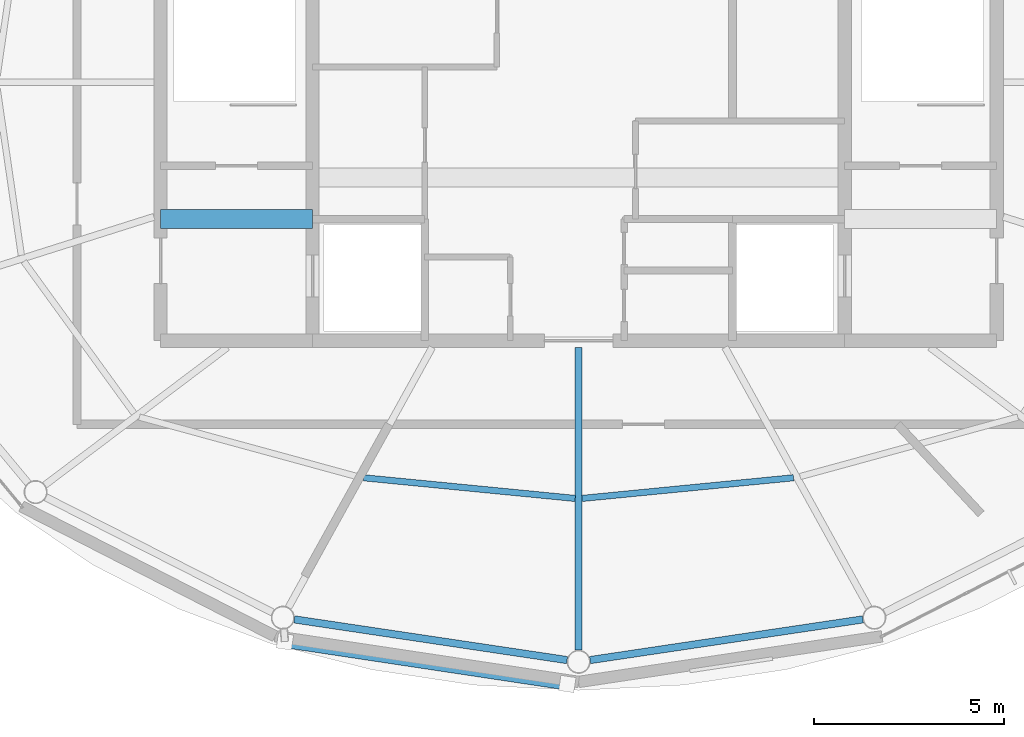
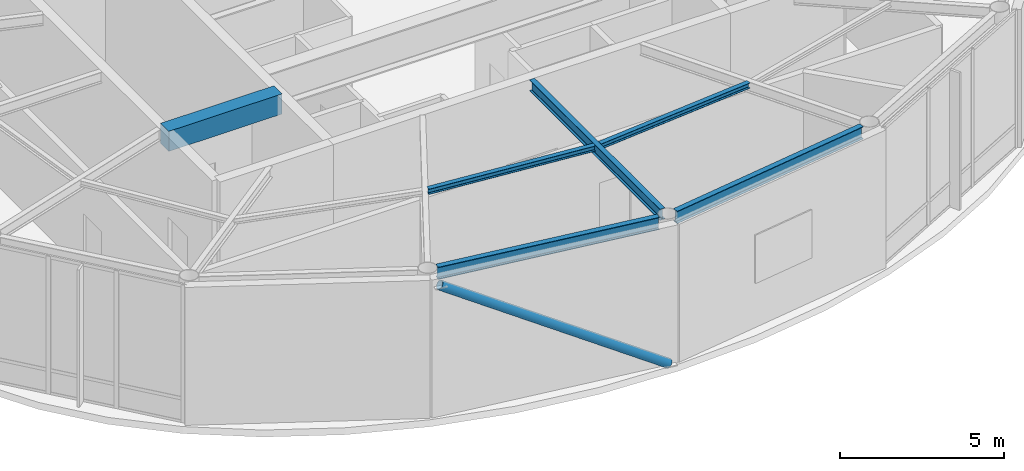
# One storey, part 4 of 14: 6 beams, 1 member.
"""IFC4 building model written with IfcOpenShell, lengths in metres."""

from ifc_helpers import new_model, si_unit, direction, frame, origin, origin_2d, place, context, subcontext, project, spatial, rectangle, hollow_circle, i_section, extrude, material, material_profile, profile_set, type_object, element, save


model = new_model("IFC4")

# Units and contexts
model_context = context("Model", 3, precision=1e-05, world=origin(), true_north=direction((0.0, 1.0)))
body_context = subcontext(model_context, "Body", "Model", "MODEL_VIEW")
ifc_project = project(units=[si_unit("LENGTHUNIT", "METRE"), si_unit("AREAUNIT", "SQUARE_METRE"), si_unit("VOLUMEUNIT", "CUBIC_METRE"), si_unit("PLANEANGLEUNIT", "RADIAN"), si_unit("MASSUNIT", "GRAM", prefix="KILO")], contexts=[model_context])

# Site, building, storey
site_placement = place(None, origin())
site = spatial("IfcSite", under=ifc_project, at=site_placement, CompositionType="ELEMENT")
building_placement = place(site_placement, origin())
building = spatial("IfcBuilding", under=site, at=building_placement, Name="Sarneth Arch Tower", CompositionType="ELEMENT")
storey_placement = place(building_placement, frame((0.0, 0.0, 321.60009765625)))
storey = spatial("IfcBuildingStorey", under=building, at=storey_placement, Name="L83", CompositionType="ELEMENT", Elevation=321.60009765625)

# Beams
ifc_material_1 = material(Name="Steel S355", Category="steel")
ifc_material_profile_1 = material_profile(ifc_material_1, i_section(OverallWidth=0.1650390625, OverallDepth=0.200927734375, WebThickness=0.006103515625, FlangeThickness=0.01025390625, FilletRadius=0.010009765625, at=origin_2d()), Name="W200x35.9")
ifc_profile_set_1 = profile_set([ifc_material_profile_1], Name="Steel S355")
beam_type_1 = type_object("IfcBeamType", Name="BM-JOIST-200", PredefinedType="JOIST", material=ifc_profile_set_1)
for number, where, z_axis, x_axis, name in (
    (1, (42.34521484375, 31.592529296875, 5.039306640625), (0.995261554791, -0.097233932113, 0.0), (0.097233932113, 0.995261554791, 0.0), "L83 Secondary floor joist 12"),
    (2, (48.089599609375, 31.048828125, 5.039306640625), (0.995261554791, 0.097233932113, 0.0), (-0.097233932113, 0.995261554791, 0.0), "L83 Secondary floor joist 13"),
):
    element("IfcBeam", number, at=place(storey_placement, frame(where, z_axis=z_axis, x_axis=x_axis)), inside=storey, type_object=beam_type_1, Name=name, PredefinedType="JOIST", context=body_context, shape_type="SweptSolid", body=[
        extrude(i_section(OverallWidth=0.1650390625, OverallDepth=0.200927734375, WebThickness=0.006103515625, FlangeThickness=0.01025390625, FilletRadius=0.010009765625, at=origin_2d()), origin(), (0.0, 0.0, 1.0), 5.591796875),
    ])
ifc_material_2 = material(Name="Concrete C50/60", Category="concrete")
ifc_material_profile_2 = material_profile(ifc_material_2, rectangle(XDim=0.5, YDim=0.75, at=origin_2d()), Name="RC-500x750")
ifc_profile_set_2 = profile_set([ifc_material_profile_2], Name="Concrete C50/60")
beam_type_2 = type_object("IfcBeamType", Name="BM-LINTEL-RC", PredefinedType="LINTEL", material=ifc_profile_set_2)
beam_1_placement = place(storey_placement, frame((37.0, 38.39990234375, 4.764892578125), z_axis=(1.0, 0.0, 0.0), x_axis=(0.0, 1.0, 0.0)))
element("IfcBeam", 3, at=beam_1_placement, inside=storey, type_object=beam_type_2, Name="L83 Core coupling lintel W", PredefinedType="LINTEL", context=body_context, shape_type="SweptSolid", body=[
    extrude(rectangle(XDim=0.5, YDim=0.75, at=origin_2d()), origin(), (0.0, 0.0, 1.0), 4.0),
])
ifc_material_3 = material(Name="Steel S355", Category="steel")
ifc_material_profile_3 = material_profile(ifc_material_3, i_section(OverallWidth=0.179931640625, OverallDepth=0.4130859375, WebThickness=0.009765625, FlangeThickness=0.01611328125, FilletRadius=0.01611328125, at=origin_2d()), Name="W410x75")
ifc_profile_set_3 = profile_set([ifc_material_profile_3], Name="Steel S355")
beam_type_3 = type_object("IfcBeamType", Name="BM-RAD-410B", PredefinedType="BEAM", material=ifc_profile_set_3)
beam_2_placement = place(storey_placement, frame((48.0, 35.02490234375, 4.933349609375), z_axis=(0.0, -1.0, 0.0), x_axis=(1.0, 0.0, 0.0)))
element("IfcBeam", 4, at=beam_2_placement, inside=storey, type_object=beam_type_3, Name="L83 Radial floor girder 13", PredefinedType="BEAM", context=body_context, shape_type="SweptSolid", body=[
    extrude(i_section(OverallWidth=0.179931640625, OverallDepth=0.4130859375, WebThickness=0.009765625, FlangeThickness=0.01611328125, FilletRadius=0.01611328125, at=origin_2d()), origin(), (0.0, 0.0, 1.0), 7.969970703125),
])
ifc_material_4 = material(Name="Steel S355", Category="steel")
ifc_material_profile_4 = material_profile(ifc_material_4, i_section(OverallWidth=0.19189453125, OverallDepth=0.462890625, WebThickness=0.010498046875, FlangeThickness=0.017578125, FilletRadius=0.01806640625, at=origin_2d()), Name="W460x89")
ifc_profile_set_4 = profile_set([ifc_material_profile_4], Name="Steel S355")
beam_type_4 = type_object("IfcBeamType", Name="BM-RAD-460B", PredefinedType="BEAM", material=ifc_profile_set_4)
for number, where, z_axis, x_axis, name in (
    (5, (40.518798828125, 27.865966796875, 4.908447265625), (0.989054698722, -0.147549323742, 0.0), (0.147549323742, 0.989054698722, 0.0), "L83 Perimeter spandrel beam 12"),
    (6, (48.3017578125, 26.794921875, 4.908447265625), (0.989054698722, 0.147549323742, 0.0), (-0.147549323742, 0.989054698722, 0.0), "L83 Perimeter spandrel beam 13"),
):
    element("IfcBeam", number, at=place(storey_placement, frame(where, z_axis=z_axis, x_axis=x_axis)), inside=storey, type_object=beam_type_4, Name=name, PredefinedType="BEAM", context=body_context, shape_type="SweptSolid", body=[
        extrude(i_section(OverallWidth=0.19189453125, OverallDepth=0.462890625, WebThickness=0.010498046875, FlangeThickness=0.017578125, FilletRadius=0.01806640625, at=origin_2d()), origin(), (0.0, 0.0, 1.0), 7.2587890625),
    ])

# Member
ifc_material_5 = material(Name="Steel S355", Category="steel")
ifc_material_profile_5 = material_profile(ifc_material_5, hollow_circle(Radius=0.162109375, WallThickness=0.012451171875, at=origin_2d()), Name="CHS324x12.5")
ifc_profile_set_5 = profile_set([ifc_material_profile_5], Name="Steel S355")
member_type = type_object("IfcMemberType", Name="MEM-DIAG-BR3", PredefinedType="BRACE", material=ifc_profile_set_5)
member_placement = place(storey_placement, frame((47.703369140625, 26.164794921875, 0.02001953125), z_axis=(-0.831224810158, 0.12521900889, 0.541650731366), x_axis=(-0.148963200292, -0.988842740257, 0.0)))
element("IfcMember", 7, at=member_placement, inside=storey, type_object=member_type, Name="L83 Perimeter frame diagonal 12", PredefinedType="BRACE", context=body_context, shape_type="SweptSolid", body=[
    extrude(hollow_circle(Radius=0.162109375, WallThickness=0.012451171875, at=origin_2d()), origin(), (0.0, 0.0, 1.0), 8.939453125),
])

save(model, "model.ifc")
